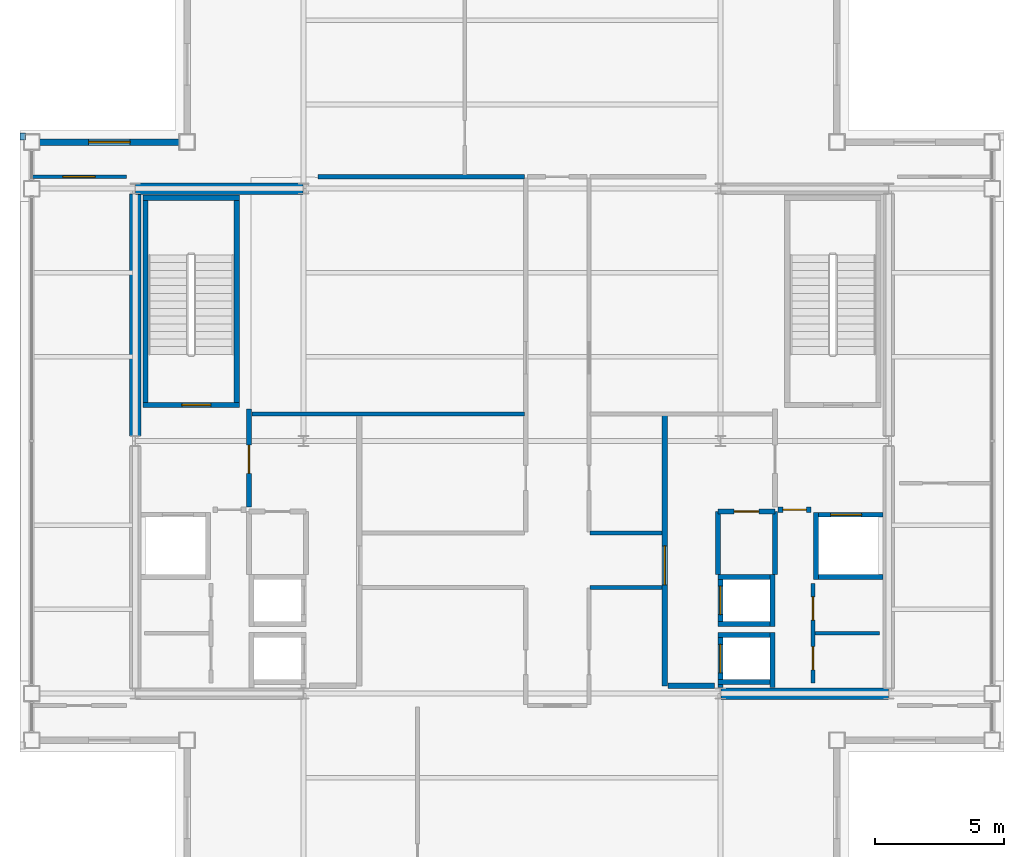
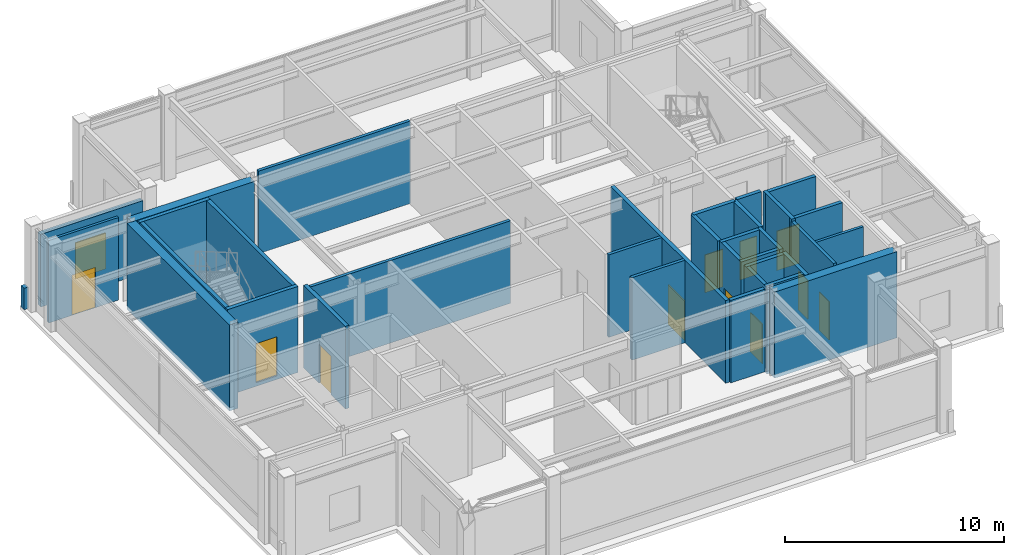
# One storey, part 18 of 21: 34 walls, 11 doors, 1 window, 12 openings.
"""IFC4 building model written with IfcOpenShell, lengths in metres."""

from ifc_helpers import new_model, si_unit, direction, frame, frame_2d, origin, place, context, subcontext, project, spatial, rectangle, extrude, material, layer, layer_set, type_object, element, fill, save


model = new_model("IFC4")

# Units and contexts
model_context = context("Model", 3, precision=1e-05, world=origin(), true_north=direction((0.0, 1.0)))
body_context = subcontext(model_context, "Body", "Model", "MODEL_VIEW")
ifc_project = project(units=[si_unit("LENGTHUNIT", "METRE"), si_unit("AREAUNIT", "SQUARE_METRE"), si_unit("VOLUMEUNIT", "CUBIC_METRE"), si_unit("PLANEANGLEUNIT", "RADIAN"), si_unit("MASSUNIT", "GRAM", prefix="KILO")], contexts=[model_context])

# Site, building, storey
site_placement = place(None, origin())
site = spatial("IfcSite", under=ifc_project, at=site_placement, CompositionType="ELEMENT")
building_placement = place(site_placement, origin())
building = spatial("IfcBuilding", under=site, at=building_placement, Name="Brelmoor Portico Tower", CompositionType="ELEMENT")
storey_placement = place(building_placement, frame((0.0, 0.0, 284.39990234375)))
storey = spatial("IfcBuildingStorey", under=building, at=storey_placement, Name="L75", CompositionType="ELEMENT", Elevation=284.39990234375)

# Walls
ifc_material_1 = material(Name="Concrete C50", Category="concrete")
ifc_layer_1 = layer(ifc_material_1, 0.449951171875)
ifc_layer_set_1 = layer_set([ifc_layer_1], Name="Concrete C50")
wall_type_1 = type_object("IfcWallType", Name="WL-CORE-450", PredefinedType="SHEAR", material=ifc_layer_set_1)
wall_1_placement = place(storey_placement, frame((-14.530029296875, 9.75, -0.199951171875), z_axis=(0.0, 0.0, 1.0), x_axis=(1.0, 0.0, 0.0)))
element("IfcWall", 1, at=wall_1_placement, inside=storey, type_object=wall_type_1, Name="L75 WC North Shear Wall", PredefinedType="SHEAR", context=body_context, shape_type="SweptSolid", body=[
    extrude(rectangle(XDim=6.4599609375, YDim=0.449951171875, at=frame_2d((3.22998046875, 0.0))), origin(), (0.0, 0.0, 1.0), 4.800048828125),
])
wall_2_placement = place(storey_placement, frame((-14.550048828125, 0.199951171875, -0.199951171875), z_axis=(0.0, 0.0, 1.0), x_axis=(0.0, 1.0, 0.0)))
element("IfcWall", 2, at=wall_2_placement, inside=storey, type_object=wall_type_1, Name="L75 WC Outer North Shear Wall", PredefinedType="SHEAR", context=body_context, shape_type="SweptSolid", body=[
    extrude(rectangle(XDim=9.35009765625, YDim=0.449951171875, at=frame_2d((4.675048828125, 0.0))), origin(), (0.0, 0.0, 1.0), 4.800048828125),
])
wall_3_placement = place(storey_placement, frame((8.070068359375, -9.75, -0.199951171875), z_axis=(0.0, 0.0, 1.0), x_axis=(1.0, 0.0, 0.0)))
element("IfcWall", 3, at=wall_3_placement, inside=storey, type_object=wall_type_1, Name="L75 EC South Shear Wall", PredefinedType="SHEAR", context=body_context, shape_type="SweptSolid", body=[
    extrude(rectangle(XDim=6.4599609375, YDim=0.449951171875, at=frame_2d((3.22998046875, 0.0))), origin(), (0.0, 0.0, 1.0), 4.800048828125),
])

# Wall, opening, window
ifc_material_2 = material(Name="Precast Concrete C40 Insulated Facade Wall", Category="concrete")
ifc_layer_2 = layer(ifc_material_2, 0.25)
ifc_layer_set_2 = layer_set([ifc_layer_2], Name="Precast Concrete C40 Insulated Facade Wall")
wall_type_2 = type_object("IfcWallType", Name="WL-EXT-250", PredefinedType="STANDARD", material=ifc_layer_set_2)
wall_4_placement = place(storey_placement, frame((-18.239990234375, 11.550048828125, 0.0), z_axis=(0.0, 0.0, 1.0), x_axis=(1.0, 0.0, 0.0)))
wall_4 = element("IfcWall", 4, at=wall_4_placement, inside=storey, type_object=wall_type_2, Name="L75 Corner Notch Facade Wall NNWH1", PredefinedType="STANDARD", context=body_context, shape_type="SweptSolid", body=[
    extrude(rectangle(XDim=5.3798828125, YDim=0.25, at=frame_2d((2.68994140625, 0.0))), origin(), (0.0, 0.0, 1.0), 4.050048828125),
])
opening_1_placement = place(wall_4_placement, frame((1.889892578125, 0.0, 0.85009765625)))
opening_1 = element("IfcOpeningElement", 5, at=opening_1_placement, cuts=wall_4, Name="Opening W-01", PredefinedType="OPENING", context=body_context, shape_type="SweptSolid", body=[
    extrude(rectangle(XDim=1.60009765625, YDim=2.0, at=frame_2d((0.800048828125, 1.0))), frame((0.0, 0.135009765625, 0.0), z_axis=(0.0, -1.0, 0.0), x_axis=(1.0, 0.0, 0.0)), (0.0, 0.0, 1.0), 0.27001953125),
])
ifc_material_3 = material(Name="Thermally Broken Aluminium Low-E Window", Category="aluminium")
window_type = type_object("IfcWindowType", Name="WN-NOTCH-1600x2000", PartitioningType="SINGLE_PANEL", PredefinedType="WINDOW", material=ifc_material_3)
window_placement = place(opening_1_placement, origin())
window = element("IfcWindow", 6, at=window_placement, inside=storey, type_object=window_type, Name="L75 Corner Notch Window NNWH1", OverallHeight=2.0, OverallWidth=1.60009765625, PartitioningType="SINGLE_PANEL", PredefinedType="WINDOW", context=body_context, shape_type="SweptSolid", body=[
    extrude(rectangle(XDim=1.60009765625, YDim=2.0, at=frame_2d((0.800048828125, 1.0))), frame((0.0, 0.030029296875, 0.0), z_axis=(0.0, -1.0, 0.0), x_axis=(1.0, 0.0, 0.0)), (0.0, 0.0, 1.0), 0.06005859375),
])
fill(opening_1, window)

# Walls
ifc_material_4 = material(Name="Concrete C40 Parapet Upstand", Category="concrete")
ifc_layer_3 = layer(ifc_material_4, 0.219970703125)
ifc_layer_set_3 = layer_set([ifc_layer_3], Name="Concrete C40 Parapet Upstand")
wall_type_3 = type_object("IfcWallType", Name="WL-PARAPET-220", PredefinedType="PARAPET", material=ifc_layer_set_3)
wall_5_placement = place(storey_placement, frame((-18.889892578125, 11.6201171875, 0.0), z_axis=(0.0, 0.0, 1.0), x_axis=(0.0, 1.0, 0.0)))
element("IfcWall", 7, at=wall_5_placement, inside=storey, type_object=wall_type_3, Name="L75 Chamfer Vertex Parapet Pier NW2", PredefinedType="PARAPET", context=body_context, shape_type="SweptSolid", body=[
    extrude(rectangle(XDim=0.269775390625, YDim=0.219970703125, at=frame_2d((0.134765625, 0.0))), origin(), (0.0, 0.0, 1.0), 1.2001953125),
])
ifc_material_5 = material(Name="Insulated Stud Suite Partition", Category="gypsum")
ifc_layer_4 = layer(ifc_material_5, 0.139892578125)
ifc_layer_set_4 = layer_set([ifc_layer_4], Name="Insulated Stud Suite Partition")
wall_type_4 = type_object("IfcWallType", Name="WL-PART-140", PredefinedType="PARTITIONING", material=ifc_layer_set_4)
wall_6_placement = place(storey_placement, frame((11.699951171875, -7.425048828125, 0.0), z_axis=(0.0, 0.0, 1.0), x_axis=(1.0, 0.0, 0.0)))
element("IfcWall", 8, at=wall_6_placement, inside=storey, type_object=wall_type_4, Name="L75 E Core WC Divider 1", PredefinedType="PARTITIONING", context=body_context, shape_type="SweptSolid", body=[
    extrude(rectangle(XDim=2.5, YDim=0.139892578125, at=frame_2d((1.25, 0.0))), origin(), (0.0, 0.0, 1.0), 4.60009765625),
])

# Wall, opening, door
wall_7_placement = place(storey_placement, frame((-18.56005859375, 10.2099609375, 0.0), z_axis=(0.0, 0.0, 1.0), x_axis=(1.0, 0.0, 0.0)))
wall_7 = element("IfcWall", 9, at=wall_7_placement, inside=storey, type_object=wall_type_4, Name="L75 North Wing Suite Wall WL", PredefinedType="PARTITIONING", context=body_context, shape_type="SweptSolid", body=[
    extrude(rectangle(XDim=3.68017578125, YDim=0.139892578125, at=frame_2d((1.840087890625, 0.0))), origin(), (0.0, 0.0, 1.0), 4.60009765625),
])
opening_2_placement = place(wall_7_placement, frame((1.219970703125, 0.0, 0.0)))
opening_2 = element("IfcOpeningElement", 10, at=opening_2_placement, cuts=wall_7, Name="Opening D-SU1", PredefinedType="OPENING", context=body_context, shape_type="SweptSolid", body=[
    extrude(rectangle(XDim=1.239990234375, YDim=2.239990234375, at=frame_2d((0.6201171875, 1.1201171875))), frame((0.0, 0.079833984375, 0.0), z_axis=(0.0, -1.0, 0.0), x_axis=(1.0, 0.0, 0.0)), (0.0, 0.0, 1.0), 0.159912109375),
])
ifc_material_6 = material(Name="Glazed Timber Executive Suite Door", Category="wood")
door_type_1 = type_object("IfcDoorType", Name="DR-SUITE-1200", OperationType="NOTDEFINED", PredefinedType="DOOR", material=ifc_material_6)
door_1_placement = place(opening_2_placement, origin())
door_1 = element("IfcDoor", 11, at=door_1_placement, inside=storey, type_object=door_type_1, Name="D-3060 L75 WL Wing Suite Connecting Door", OperationType="SINGLE_SWING_LEFT", OverallHeight=2.239990234375, OverallWidth=1.239990234375, PredefinedType="DOOR", context=body_context, shape_type="SweptSolid", body=[
    extrude(rectangle(XDim=1.239990234375, YDim=2.239990234375, at=frame_2d((0.6201171875, 1.1201171875))), frame((0.0, 0.02490234375, 0.0), z_axis=(0.0, -1.0, 0.0), x_axis=(1.0, 0.0, 0.0)), (0.0, 0.0, 1.0), 0.050048828125),
])
fill(opening_2, door_1)

# Wall, openings, doors
ifc_material_7 = material(Name="Twin-Frame Acoustic Partition", Category="gypsum")
ifc_layer_5 = layer(ifc_material_7, 0.159912109375)
ifc_layer_set_5 = layer_set([ifc_layer_5], Name="Twin-Frame Acoustic Partition")
wall_type_5 = type_object("IfcWallType", Name="WL-PART-160", PredefinedType="PARTITIONING", material=ifc_layer_set_5)
wall_8_placement = place(storey_placement, frame((11.6201171875, -9.35009765625, 0.0), z_axis=(0.0, 0.0, 1.0), x_axis=(0.0, 1.0, 0.0)))
wall_8 = element("IfcWall", 12, at=wall_8_placement, inside=storey, type_object=wall_type_5, Name="L75 E Core Service Front Wall", PredefinedType="PARTITIONING", context=body_context, shape_type="SweptSolid", body=[
    extrude(rectangle(XDim=3.85009765625, YDim=0.159912109375, at=frame_2d((1.925048828125, 0.0))), origin(), (0.0, 0.0, 1.0), 4.60009765625),
])
opening_3_placement = place(wall_8_placement, frame((0.512451171875, 0.0, 0.0)))
opening_3 = element("IfcOpeningElement", 13, at=opening_3_placement, cuts=wall_8, Name="Opening D-IN1", PredefinedType="OPENING", context=body_context, shape_type="SweptSolid", body=[
    extrude(rectangle(XDim=0.89990234375, YDim=2.14990234375, at=frame_2d((0.449951171875, 1.074951171875))), frame((0.0, 0.08984375, 0.0), z_axis=(0.0, -1.0, 0.0), x_axis=(1.0, 0.0, 0.0)), (0.0, 0.0, 1.0), 0.179931640625),
])
opening_4_placement = place(wall_8_placement, frame((2.4375, 0.0, 0.0)))
opening_4 = element("IfcOpeningElement", 14, at=opening_4_placement, cuts=wall_8, Name="Opening D-IN1", PredefinedType="OPENING", context=body_context, shape_type="SweptSolid", body=[
    extrude(rectangle(XDim=0.89990234375, YDim=2.14990234375, at=frame_2d((0.449951171875, 1.074951171875))), frame((0.0, 0.08984375, 0.0), z_axis=(0.0, -1.0, 0.0), x_axis=(1.0, 0.0, 0.0)), (0.0, 0.0, 1.0), 0.179931640625),
])
ifc_material_8 = material(Name="Lacquered Timber Suite Door", Category="wood")
door_type_2 = type_object("IfcDoorType", Name="DR-INT-900", OperationType="NOTDEFINED", PredefinedType="DOOR", material=ifc_material_8)
door_2_placement = place(opening_3_placement, origin())
door_2 = element("IfcDoor", 15, at=door_2_placement, inside=storey, type_object=door_type_2, Name="D-3045 L75 E Male WC Door", OperationType="SINGLE_SWING_LEFT", OverallHeight=2.14990234375, OverallWidth=0.89990234375, PredefinedType="DOOR", context=body_context, shape_type="SweptSolid", body=[
    extrude(rectangle(XDim=0.89990234375, YDim=2.14990234375, at=frame_2d((0.449951171875, 1.074951171875))), frame((0.0, 0.02490234375, 0.0), z_axis=(0.0, -1.0, 0.0), x_axis=(1.0, 0.0, 0.0)), (0.0, 0.0, 1.0), 0.050048828125),
])
fill(opening_3, door_2)
door_3_placement = place(opening_4_placement, origin())
door_3 = element("IfcDoor", 16, at=door_3_placement, inside=storey, type_object=door_type_2, Name="D-3046 L75 E Female WC Door", OperationType="SINGLE_SWING_RIGHT", OverallHeight=2.14990234375, OverallWidth=0.89990234375, PredefinedType="DOOR", context=body_context, shape_type="SweptSolid", body=[
    extrude(rectangle(XDim=0.89990234375, YDim=2.14990234375, at=frame_2d((0.449951171875, 1.074951171875))), frame((0.0, 0.02490234375, 0.0), z_axis=(0.0, -1.0, 0.0), x_axis=(1.0, 0.0, 0.0)), (0.0, 0.0, 1.0), 0.050048828125),
])
fill(opening_4, door_3)

# Walls
wall_9_placement = place(storey_placement, frame((-10.050048828125, 1.050048828125, 0.0), z_axis=(0.0, 0.0, 1.0), x_axis=(1.0, 0.0, 0.0)))
element("IfcWall", 17, at=wall_9_placement, inside=storey, type_object=wall_type_5, Name="L75 West Reclaimed Suite South Wall", PredefinedType="PARTITIONING", context=body_context, shape_type="SweptSolid", body=[
    extrude(rectangle(XDim=10.5400390625, YDim=0.159912109375, at=frame_2d((5.27001953125, 0.0))), origin(), (0.0, 0.0, 1.0), 4.60009765625),
])
wall_10_placement = place(storey_placement, frame((-7.5, 10.2099609375, 0.0), z_axis=(0.0, 0.0, 1.0), x_axis=(1.0, 0.0, 0.0)))
element("IfcWall", 18, at=wall_10_placement, inside=storey, type_object=wall_type_5, Name="L75 West Reclaimed Suite North Wall", PredefinedType="PARTITIONING", context=body_context, shape_type="SweptSolid", body=[
    extrude(rectangle(XDim=7.989990234375, YDim=0.159912109375, at=frame_2d((3.9951171875, 0.0))), origin(), (0.0, 0.0, 1.0), 4.60009765625),
])
for number, where, z_axis, x_axis, name in (
    (19, (3.010009765625, -3.550048828125, 0.0), (0.0, 0.0, 1.0), (1.0, 0.0, 0.0), "L75 East Office South Wall"),
    (20, (3.010009765625, -5.64990234375, 0.0), (0.0, 0.0, 1.0), (1.0, 0.0, 0.0), "L75 South-East Chamber Top Wall"),
):
    element("IfcWall", number, at=place(storey_placement, frame(where, z_axis=z_axis, x_axis=x_axis)), inside=storey, type_object=wall_type_5, Name=name, PredefinedType="PARTITIONING", context=body_context, shape_type="SweptSolid", body=[
        extrude(rectangle(XDim=2.7900390625, YDim=0.159912109375, at=frame_2d((1.39501953125, 0.0))), origin(), (0.0, 0.0, 1.0), 4.60009765625),
    ])

# Wall, opening, door
ifc_material_9 = material(Name="Double-Stud Gypsum Fire Partition", Category="gypsum")
ifc_layer_6 = layer(ifc_material_9, 0.199951171875)
ifc_layer_set_6 = layer_set([ifc_layer_6], Name="Double-Stud Gypsum Fire Partition")
wall_type_6 = type_object("IfcWallType", Name="WL-PART-200", PredefinedType="PARTITIONING", material=ifc_layer_set_6)
wall_11_placement = place(storey_placement, frame((-10.159912109375, -2.550048828125, 0.0), z_axis=(0.0, 0.0, 1.0), x_axis=(0.0, 1.0, 0.0)))
wall_11 = element("IfcWall", 21, at=wall_11_placement, inside=storey, type_object=wall_type_6, Name="L75 W Firefighting Lobby Wall", PredefinedType="PARTITIONING", context=body_context, shape_type="SweptSolid", body=[
    extrude(rectangle(XDim=3.800048828125, YDim=0.199951171875, at=frame_2d((1.89990234375, 0.0))), origin(), (0.0, 0.0, 1.0), 4.60009765625),
])
opening_5_placement = place(wall_11_placement, frame((1.300048828125, 0.0, 0.0)))
opening_5 = element("IfcOpeningElement", 22, at=opening_5_placement, cuts=wall_11, Name="Opening D-FR1", PredefinedType="OPENING", context=body_context, shape_type="SweptSolid", body=[
    extrude(rectangle(XDim=1.10009765625, YDim=2.14990234375, at=frame_2d((0.550048828125, 1.074951171875))), frame((0.0, 0.10986328125, 0.0), z_axis=(0.0, -1.0, 0.0), x_axis=(1.0, 0.0, 0.0)), (0.0, 0.0, 1.0), 0.219970703125),
])
ifc_material_10 = material(Name="Painted Galvanised Steel Fire Door", Category="steel")
door_type_3 = type_object("IfcDoorType", Name="DR-FIRE-1100", OperationType="NOTDEFINED", PredefinedType="DOOR", material=ifc_material_10)
door_4_placement = place(opening_5_placement, origin())
door_4 = element("IfcDoor", 23, at=door_4_placement, inside=storey, type_object=door_type_3, Name="D-3054 L75 W Firefighting Lobby Door", OperationType="SINGLE_SWING_LEFT", OverallHeight=2.14990234375, OverallWidth=1.10009765625, PredefinedType="DOOR", context=body_context, shape_type="SweptSolid", body=[
    extrude(rectangle(XDim=1.10009765625, YDim=2.14990234375, at=frame_2d((0.550048828125, 1.074951171875))), frame((0.0, 0.02490234375, 0.0), z_axis=(0.0, -1.0, 0.0), x_axis=(1.0, 0.0, 0.0)), (0.0, 0.0, 1.0), 0.050048828125),
])
fill(opening_5, door_4)

wall_12_placement = place(storey_placement, frame((5.89990234375, -9.449951171875, 0.0), z_axis=(0.0, 0.0, 1.0), x_axis=(0.0, 1.0, 0.0)))
wall_12 = element("IfcWall", 24, at=wall_12_placement, inside=storey, type_object=wall_type_6, Name="L75 E Core Lobby Compartment Wall", PredefinedType="PARTITIONING", context=body_context, shape_type="SweptSolid", body=[
    extrude(rectangle(XDim=10.5, YDim=0.199951171875, at=frame_2d((5.25, 0.0))), origin(), (0.0, 0.0, 1.0), 4.60009765625),
])
opening_6_placement = place(wall_12_placement, frame((3.89990234375, 0.0, 0.0)))
opening_6 = element("IfcOpeningElement", 25, at=opening_6_placement, cuts=wall_12, Name="Opening D-LB1", PredefinedType="OPENING", context=body_context, shape_type="SweptSolid", body=[
    extrude(rectangle(XDim=1.5, YDim=2.199951171875, at=frame_2d((0.75, 1.10009765625))), frame((0.0, 0.10986328125, 0.0), z_axis=(0.0, -1.0, 0.0), x_axis=(1.0, 0.0, 0.0)), (0.0, 0.0, 1.0), 0.219970703125),
])
ifc_material_11 = material(Name="Double-Leaf Glazed Steel Fire Door", Category="steel")
door_type_4 = type_object("IfcDoorType", Name="DR-LOBBY-1500", OperationType="NOTDEFINED", PredefinedType="DOOR", material=ifc_material_11)
door_5_placement = place(opening_6_placement, origin())
door_5 = element("IfcDoor", 26, at=door_5_placement, inside=storey, type_object=door_type_4, Name="D-3055 L75 E Lift Lobby Main Door", OperationType="DOUBLE_DOOR_SINGLE_SWING", OverallHeight=2.199951171875, OverallWidth=1.5, PredefinedType="DOOR", context=body_context, shape_type="SweptSolid", body=[
    extrude(rectangle(XDim=1.5, YDim=2.199951171875, at=frame_2d((0.75, 1.10009765625))), frame((0.0, 0.02490234375, 0.0), z_axis=(0.0, -1.0, 0.0), x_axis=(1.0, 0.0, 0.0)), (0.0, 0.0, 1.0), 0.050048828125),
])
fill(opening_6, door_5)

# Wall
wall_13_placement = place(storey_placement, frame((6.02001953125, -9.449951171875, 0.0), z_axis=(0.0, 0.0, 1.0), x_axis=(1.0, 0.0, 0.0)))
element("IfcWall", 27, at=wall_13_placement, inside=storey, type_object=wall_type_6, Name="L75 E Lift Lobby South End Wall", PredefinedType="PARTITIONING", context=body_context, shape_type="SweptSolid", body=[
    extrude(rectangle(XDim=1.800048828125, YDim=0.199951171875, at=frame_2d((0.89990234375, 0.0))), origin(), (0.0, 0.0, 1.0), 4.60009765625),
])

# Wall, opening, door
wall_14_placement = place(storey_placement, frame((10.280029296875, -2.64990234375, 0.0), z_axis=(0.0, 0.0, 1.0), x_axis=(1.0, 0.0, 0.0)))
wall_14 = element("IfcWall", 28, at=wall_14_placement, inside=storey, type_object=wall_type_6, Name="L75 E Firefighting Lobby South Wall", PredefinedType="PARTITIONING", context=body_context, shape_type="SweptSolid", body=[
    extrude(rectangle(XDim=1.27001953125, YDim=0.199951171875, at=frame_2d((0.635009765625, 0.0))), origin(), (0.0, 0.0, 1.0), 4.60009765625),
])
opening_7_placement = place(wall_14_placement, frame((0.18505859375, 0.0, 0.0)))
opening_7 = element("IfcOpeningElement", 29, at=opening_7_placement, cuts=wall_14, Name="Opening D-IN1", PredefinedType="OPENING", context=body_context, shape_type="SweptSolid", body=[
    extrude(rectangle(XDim=0.89990234375, YDim=2.14990234375, at=frame_2d((0.449951171875, 1.074951171875))), frame((0.0, 0.10986328125, 0.0), z_axis=(0.0, -1.0, 0.0), x_axis=(1.0, 0.0, 0.0)), (0.0, 0.0, 1.0), 0.219970703125),
])
door_6_placement = place(opening_7_placement, origin())
door_6 = element("IfcDoor", 30, at=door_6_placement, inside=storey, type_object=door_type_2, Name="D-3047 L75 E Core Service Vestibule Door", OperationType="SINGLE_SWING_LEFT", OverallHeight=2.14990234375, OverallWidth=0.89990234375, PredefinedType="DOOR", context=body_context, shape_type="SweptSolid", body=[
    extrude(rectangle(XDim=0.89990234375, YDim=2.14990234375, at=frame_2d((0.449951171875, 1.074951171875))), frame((0.0, 0.02490234375, 0.0), z_axis=(0.0, -1.0, 0.0), x_axis=(1.0, 0.0, 0.0)), (0.0, 0.0, 1.0), 0.050048828125),
])
fill(opening_7, door_6)

wall_15_placement = place(storey_placement, frame((7.9599609375, -2.719970703125, 0.0), z_axis=(0.0, 0.0, 1.0), x_axis=(1.0, 0.0, 0.0)))
wall_15 = element("IfcWall", 31, at=wall_15_placement, inside=storey, type_object=wall_type_6, Name="L75 E Electrical Switchgear Closet Wall", PredefinedType="PARTITIONING", context=body_context, shape_type="SweptSolid", body=[
    extrude(rectangle(XDim=2.199951171875, YDim=0.199951171875, at=frame_2d((1.10009765625, 0.0))), origin(), (0.0, 0.0, 1.0), 4.60009765625),
])
opening_8_placement = place(wall_15_placement, frame((0.6201171875, 0.0, 0.0)))
opening_8 = element("IfcOpeningElement", 32, at=opening_8_placement, cuts=wall_15, Name="Opening D-FR4", PredefinedType="OPENING", context=body_context, shape_type="SweptSolid", body=[
    extrude(rectangle(XDim=0.949951171875, YDim=2.10009765625, at=frame_2d((0.47509765625, 1.050048828125))), frame((0.0, 0.10986328125, 0.0), z_axis=(0.0, -1.0, 0.0), x_axis=(1.0, 0.0, 0.0)), (0.0, 0.0, 1.0), 0.219970703125),
])
ifc_material_12 = material(Name="Painted Galvanised Steel Riser Door", Category="steel")
door_type_5 = type_object("IfcDoorType", Name="DR-FIRE-950", OperationType="NOTDEFINED", PredefinedType="DOOR", material=ifc_material_12)
door_7_placement = place(opening_8_placement, origin())
door_7 = element("IfcDoor", 33, at=door_7_placement, inside=storey, type_object=door_type_5, Name="D-3051 L75 E Electrical Switchgear Closet Door", OperationType="SINGLE_SWING_RIGHT", OverallHeight=2.10009765625, OverallWidth=0.949951171875, PredefinedType="DOOR", context=body_context, shape_type="SweptSolid", body=[
    extrude(rectangle(XDim=0.949951171875, YDim=2.10009765625, at=frame_2d((0.47509765625, 1.050048828125))), frame((0.0, 0.02490234375, 0.0), z_axis=(0.0, -1.0, 0.0), x_axis=(1.0, 0.0, 0.0)), (0.0, 0.0, 1.0), 0.050048828125),
])
fill(opening_8, door_7)

# Walls
for number, where, z_axis, x_axis, name in (
    (34, (7.9599609375, -5.159912109375, 0.0), (0.0, 0.0, 1.0), (0.0, 1.0, 0.0), "L75 E Electrical Switchgear Closet Inner Wall"),
    (35, (10.159912109375, -5.159912109375, 0.0), (0.0, 0.0, 1.0), (0.0, 1.0, 0.0), "L75 E Electrical Switchgear Closet Outer Wall"),
):
    element("IfcWall", number, at=place(storey_placement, frame(where, z_axis=z_axis, x_axis=x_axis)), inside=storey, type_object=wall_type_6, Name=name, PredefinedType="PARTITIONING", context=body_context, shape_type="SweptSolid", body=[
        extrude(rectangle(XDim=2.43994140625, YDim=0.199951171875, at=frame_2d((1.219970703125, 0.0))), origin(), (0.0, 0.0, 1.0), 4.60009765625),
    ])

# Wall, opening, door
ifc_material_13 = material(Name="Precast Concrete C40", Category="concrete")
ifc_layer_7 = layer(ifc_material_13, 0.18994140625)
ifc_layer_set_7 = layer_set([ifc_layer_7], Name="Precast Concrete C40")
wall_type_7 = type_object("IfcWallType", Name="WL-SHAFT-180", PredefinedType="SOLIDWALL", material=ifc_layer_set_7)
wall_16_placement = place(storey_placement, frame((8.044921875, -9.52001953125, -0.199951171875), z_axis=(0.0, 0.0, 1.0), x_axis=(0.0, 1.0, 0.0)))
wall_16 = element("IfcWall", 36, at=wall_16_placement, inside=storey, type_object=wall_type_7, Name="L75 Lift PH3 Hoistway Front Wall", PredefinedType="SOLIDWALL", context=body_context, shape_type="SweptSolid", body=[
    extrude(rectangle(XDim=2.1201171875, YDim=0.18994140625, at=frame_2d((1.06005859375, 0.0))), origin(), (0.0, 0.0, 1.0), 4.800048828125),
])
opening_9_placement = place(wall_16_placement, frame((0.570068359375, 0.0, 0.199951171875)))
opening_9 = element("IfcOpeningElement", 37, at=opening_9_placement, cuts=wall_16, Name="Opening LD-01", PredefinedType="OPENING", context=body_context, shape_type="SweptSolid", body=[
    extrude(rectangle(XDim=1.10009765625, YDim=2.199951171875, at=frame_2d((0.550048828125, 1.10009765625))), frame((0.0, 0.10498046875, 0.0), z_axis=(0.0, -1.0, 0.0), x_axis=(1.0, 0.0, 0.0)), (0.0, 0.0, 1.0), 0.2099609375),
])
ifc_material_14 = material(Name="Brushed Stainless Steel Sliding Lift Door", Category="steel")
door_type_6 = type_object("IfcDoorType", Name="DR-LIFT-1100", OperationType="NOTDEFINED", PredefinedType="DOOR", material=ifc_material_14)
door_8_placement = place(opening_9_placement, origin())
door_8 = element("IfcDoor", 38, at=door_8_placement, inside=storey, type_object=door_type_6, Name="D-3072 L75 Lift PH3 Sliding Landing Door", OperationType="SLIDING_TO_LEFT", OverallHeight=2.199951171875, OverallWidth=1.10009765625, PredefinedType="DOOR", context=body_context, shape_type="SweptSolid", body=[
    extrude(rectangle(XDim=1.10009765625, YDim=2.199951171875, at=frame_2d((0.550048828125, 1.10009765625))), frame((0.0, 0.02490234375, 0.0), z_axis=(0.0, -1.0, 0.0), x_axis=(1.0, 0.0, 0.0)), (0.0, 0.0, 1.0), 0.050048828125),
])
fill(opening_9, door_8)

# Walls
wall_17_placement = place(storey_placement, frame((10.054931640625, -9.52001953125, -0.199951171875), z_axis=(0.0, 0.0, 1.0), x_axis=(0.0, 1.0, 0.0)))
element("IfcWall", 39, at=wall_17_placement, inside=storey, type_object=wall_type_7, Name="L75 Lift PH3 Hoistway Back Wall", PredefinedType="SOLIDWALL", context=body_context, shape_type="SweptSolid", body=[
    extrude(rectangle(XDim=2.1201171875, YDim=0.18994140625, at=frame_2d((1.06005859375, 0.0))), origin(), (0.0, 0.0, 1.0), 4.800048828125),
])
for number, where, z_axis, x_axis, name in (
    (40, (7.949951171875, -7.4951171875, -0.199951171875), (0.0, 0.0, 1.0), (1.0, 0.0, 0.0), "L75 Lift PH3 Hoistway North Wall"),
    (41, (7.949951171875, -9.304931640625, -0.199951171875), (0.0, 0.0, 1.0), (1.0, 0.0, 0.0), "L75 Lift PH3 Hoistway South Wall"),
):
    element("IfcWall", number, at=place(storey_placement, frame(where, z_axis=z_axis, x_axis=x_axis)), inside=storey, type_object=wall_type_7, Name=name, PredefinedType="SOLIDWALL", context=body_context, shape_type="SweptSolid", body=[
        extrude(rectangle(XDim=2.199951171875, YDim=0.18994140625, at=frame_2d((1.10009765625, 0.0))), origin(), (0.0, 0.0, 1.0), 4.800048828125),
    ])

# Wall, opening, door
wall_18_placement = place(storey_placement, frame((8.044921875, -7.14990234375, -0.199951171875), z_axis=(0.0, 0.0, 1.0), x_axis=(0.0, 1.0, 0.0)))
wall_18 = element("IfcWall", 42, at=wall_18_placement, inside=storey, type_object=wall_type_7, Name="L75 Lift PH4 Hoistway Front Wall", PredefinedType="SOLIDWALL", context=body_context, shape_type="SweptSolid", body=[
    extrude(rectangle(XDim=2.0, YDim=0.18994140625, at=frame_2d((1.0, 0.0))), origin(), (0.0, 0.0, 1.0), 4.800048828125),
])
opening_10_placement = place(wall_18_placement, frame((0.449951171875, 0.0, 0.199951171875)))
opening_10 = element("IfcOpeningElement", 43, at=opening_10_placement, cuts=wall_18, Name="Opening LD-01", PredefinedType="OPENING", context=body_context, shape_type="SweptSolid", body=[
    extrude(rectangle(XDim=1.10009765625, YDim=2.199951171875, at=frame_2d((0.550048828125, 1.10009765625))), frame((0.0, 0.10498046875, 0.0), z_axis=(0.0, -1.0, 0.0), x_axis=(1.0, 0.0, 0.0)), (0.0, 0.0, 1.0), 0.2099609375),
])
door_9_placement = place(opening_10_placement, origin())
door_9 = element("IfcDoor", 44, at=door_9_placement, inside=storey, type_object=door_type_6, Name="D-3073 L75 Lift PH4 Sliding Landing Door", OperationType="SLIDING_TO_LEFT", OverallHeight=2.199951171875, OverallWidth=1.10009765625, PredefinedType="DOOR", context=body_context, shape_type="SweptSolid", body=[
    extrude(rectangle(XDim=1.10009765625, YDim=2.199951171875, at=frame_2d((0.550048828125, 1.10009765625))), frame((0.0, 0.02490234375, 0.0), z_axis=(0.0, -1.0, 0.0), x_axis=(1.0, 0.0, 0.0)), (0.0, 0.0, 1.0), 0.050048828125),
])
fill(opening_10, door_9)

# Walls
wall_19_placement = place(storey_placement, frame((10.054931640625, -7.14990234375, -0.199951171875), z_axis=(0.0, 0.0, 1.0), x_axis=(0.0, 1.0, 0.0)))
element("IfcWall", 45, at=wall_19_placement, inside=storey, type_object=wall_type_7, Name="L75 Lift PH4 Hoistway Back Wall", PredefinedType="SOLIDWALL", context=body_context, shape_type="SweptSolid", body=[
    extrude(rectangle(XDim=2.0, YDim=0.18994140625, at=frame_2d((1.0, 0.0))), origin(), (0.0, 0.0, 1.0), 4.800048828125),
])
for number, where, z_axis, x_axis, name in (
    (46, (7.949951171875, -5.2451171875, -0.199951171875), (0.0, 0.0, 1.0), (1.0, 0.0, 0.0), "L75 Lift PH4 Hoistway North Wall"),
    (47, (7.949951171875, -7.054931640625, -0.199951171875), (0.0, 0.0, 1.0), (1.0, 0.0, 0.0), "L75 Lift PH4 Hoistway South Wall"),
):
    element("IfcWall", number, at=place(storey_placement, frame(where, z_axis=z_axis, x_axis=x_axis)), inside=storey, type_object=wall_type_7, Name=name, PredefinedType="SOLIDWALL", context=body_context, shape_type="SweptSolid", body=[
        extrude(rectangle(XDim=2.199951171875, YDim=0.18994140625, at=frame_2d((1.10009765625, 0.0))), origin(), (0.0, 0.0, 1.0), 4.800048828125),
    ])

# Wall, opening, door
wall_20_placement = place(storey_placement, frame((11.64990234375, -2.844970703125, -0.199951171875), z_axis=(0.0, 0.0, 1.0), x_axis=(1.0, 0.0, 0.0)))
wall_20 = element("IfcWall", 48, at=wall_20_placement, inside=storey, type_object=wall_type_7, Name="L75 Lift FF2 Hoistway Front Wall", PredefinedType="SOLIDWALL", context=body_context, shape_type="SweptSolid", body=[
    extrude(rectangle(XDim=2.68017578125, YDim=0.18994140625, at=frame_2d((1.340087890625, 0.0))), origin(), (0.0, 0.0, 1.0), 4.800048828125),
])
opening_11_placement = place(wall_20_placement, frame((0.64990234375, 0.0, 0.199951171875)))
opening_11 = element("IfcOpeningElement", 49, at=opening_11_placement, cuts=wall_20, Name="Opening LD-02", PredefinedType="OPENING", context=body_context, shape_type="SweptSolid", body=[
    extrude(rectangle(XDim=1.199951171875, YDim=2.199951171875, at=frame_2d((0.60009765625, 1.10009765625))), frame((0.0, 0.10498046875, 0.0), z_axis=(0.0, -1.0, 0.0), x_axis=(1.0, 0.0, 0.0)), (0.0, 0.0, 1.0), 0.2099609375),
])
ifc_material_15 = material(Name="Brushed Stainless Steel Firefighting Lift Door", Category="steel")
door_type_7 = type_object("IfcDoorType", Name="DR-LIFT-1200", OperationType="NOTDEFINED", PredefinedType="DOOR", material=ifc_material_15)
door_10_placement = place(opening_11_placement, origin())
door_10 = element("IfcDoor", 50, at=door_10_placement, inside=storey, type_object=door_type_7, Name="D-3069 L75 Lift FF2 Sliding Landing Door", OperationType="SLIDING_TO_LEFT", OverallHeight=2.199951171875, OverallWidth=1.199951171875, PredefinedType="DOOR", context=body_context, shape_type="SweptSolid", body=[
    extrude(rectangle(XDim=1.199951171875, YDim=2.199951171875, at=frame_2d((0.60009765625, 1.10009765625))), frame((0.0, 0.02490234375, 0.0), z_axis=(0.0, -1.0, 0.0), x_axis=(1.0, 0.0, 0.0)), (0.0, 0.0, 1.0), 0.050048828125),
])
fill(opening_11, door_10)

# Walls
wall_21_placement = place(storey_placement, frame((11.64990234375, -5.2548828125, -0.199951171875), z_axis=(0.0, 0.0, 1.0), x_axis=(1.0, 0.0, 0.0)))
element("IfcWall", 51, at=wall_21_placement, inside=storey, type_object=wall_type_7, Name="L75 Firefighting Lift FF2 South Wall", PredefinedType="SOLIDWALL", context=body_context, shape_type="SweptSolid", body=[
    extrude(rectangle(XDim=2.68017578125, YDim=0.18994140625, at=frame_2d((1.340087890625, 0.0))), origin(), (0.0, 0.0, 1.0), 4.800048828125),
])
wall_22_placement = place(storey_placement, frame((11.7451171875, -5.35009765625, -0.199951171875), z_axis=(0.0, 0.0, 1.0), x_axis=(0.0, 1.0, 0.0)))
element("IfcWall", 52, at=wall_22_placement, inside=storey, type_object=wall_type_7, Name="L75 Firefighting Lift FF2 Inner Wall", PredefinedType="SOLIDWALL", context=body_context, shape_type="SweptSolid", body=[
    extrude(rectangle(XDim=2.60009765625, YDim=0.18994140625, at=frame_2d((1.300048828125, 0.0))), origin(), (0.0, 0.0, 1.0), 4.800048828125),
])
ifc_material_16 = material(Name="Concrete C40", Category="concrete")
ifc_layer_8 = layer(ifc_material_16, 0.199951171875)
ifc_layer_set_8 = layer_set([ifc_layer_8], Name="Concrete C40")
wall_type_8 = type_object("IfcWallType", Name="WL-SHAFT-RC200", PredefinedType="SOLIDWALL", material=ifc_layer_set_8)
wall_23_placement = place(storey_placement, frame((-14.14990234375, 1.5, -0.199951171875), z_axis=(0.0, 0.0, 1.0), x_axis=(0.0, 1.0, 0.0)))
element("IfcWall", 53, at=wall_23_placement, inside=storey, type_object=wall_type_8, Name="L75 ST-W Structural Stair Wall Outer", PredefinedType="SOLIDWALL", context=body_context, shape_type="SweptSolid", body=[
    extrude(rectangle(XDim=7.800048828125, YDim=0.199951171875, at=frame_2d((3.89990234375, 0.0))), origin(), (0.0, 0.0, 1.0), 4.800048828125),
])

# Wall, opening, door
wall_24_placement = place(storey_placement, frame((-14.25, 1.39990234375, -0.199951171875), z_axis=(0.0, 0.0, 1.0), x_axis=(1.0, 0.0, 0.0)))
wall_24 = element("IfcWall", 54, at=wall_24_placement, inside=storey, type_object=wall_type_8, Name="L75 ST-W Structural Stair Wall S", PredefinedType="SOLIDWALL", context=body_context, shape_type="SweptSolid", body=[
    extrude(rectangle(XDim=3.719970703125, YDim=0.199951171875, at=frame_2d((1.85986328125, 0.0))), origin(), (0.0, 0.0, 1.0), 4.800048828125),
])
opening_12_placement = place(wall_24_placement, frame((1.5, 0.0, 0.199951171875)))
opening_12 = element("IfcOpeningElement", 55, at=opening_12_placement, cuts=wall_24, Name="Opening D-ST1", PredefinedType="OPENING", context=body_context, shape_type="SweptSolid", body=[
    extrude(rectangle(XDim=1.1201171875, YDim=2.179931640625, at=frame_2d((0.56005859375, 1.08984375))), frame((0.0, 0.10986328125, 0.0), z_axis=(0.0, -1.0, 0.0), x_axis=(1.0, 0.0, 0.0)), (0.0, 0.0, 1.0), 0.219970703125),
])
door_type_8 = type_object("IfcDoorType", Name="DR-STAIR-1100", OperationType="NOTDEFINED", PredefinedType="DOOR", material=ifc_material_10)
door_11_placement = place(opening_12_placement, origin())
door_11 = element("IfcDoor", 56, at=door_11_placement, inside=storey, type_object=door_type_8, Name="D-3064 L75 ST-W Protected Exit Stair Door", OperationType="SINGLE_SWING_LEFT", OverallHeight=2.179931640625, OverallWidth=1.1201171875, PredefinedType="DOOR", context=body_context, shape_type="SweptSolid", body=[
    extrude(rectangle(XDim=1.1201171875, YDim=2.179931640625, at=frame_2d((0.56005859375, 1.08984375))), frame((0.0, 0.02490234375, 0.0), z_axis=(0.0, -1.0, 0.0), x_axis=(1.0, 0.0, 0.0)), (0.0, 0.0, 1.0), 0.050048828125),
])
fill(opening_12, door_11)

# Walls
wall_25_placement = place(storey_placement, frame((-14.25, 9.39990234375, -0.199951171875), z_axis=(0.0, 0.0, 1.0), x_axis=(1.0, 0.0, 0.0)))
element("IfcWall", 57, at=wall_25_placement, inside=storey, type_object=wall_type_8, Name="L75 ST-W Structural Stair Wall N", PredefinedType="SOLIDWALL", context=body_context, shape_type="SweptSolid", body=[
    extrude(rectangle(XDim=3.719970703125, YDim=0.199951171875, at=frame_2d((1.85986328125, 0.0))), origin(), (0.0, 0.0, 1.0), 4.800048828125),
])
wall_26_placement = place(storey_placement, frame((-10.6298828125, 1.5, -0.199951171875), z_axis=(0.0, 0.0, 1.0), x_axis=(0.0, 1.0, 0.0)))
element("IfcWall", 58, at=wall_26_placement, inside=storey, type_object=wall_type_8, Name="L75 ST-W Structural Stair Wall Inner", PredefinedType="SOLIDWALL", context=body_context, shape_type="SweptSolid", body=[
    extrude(rectangle(XDim=7.800048828125, YDim=0.199951171875, at=frame_2d((3.89990234375, 0.0))), origin(), (0.0, 0.0, 1.0), 4.800048828125),
])

save(model, "model.ifc")
